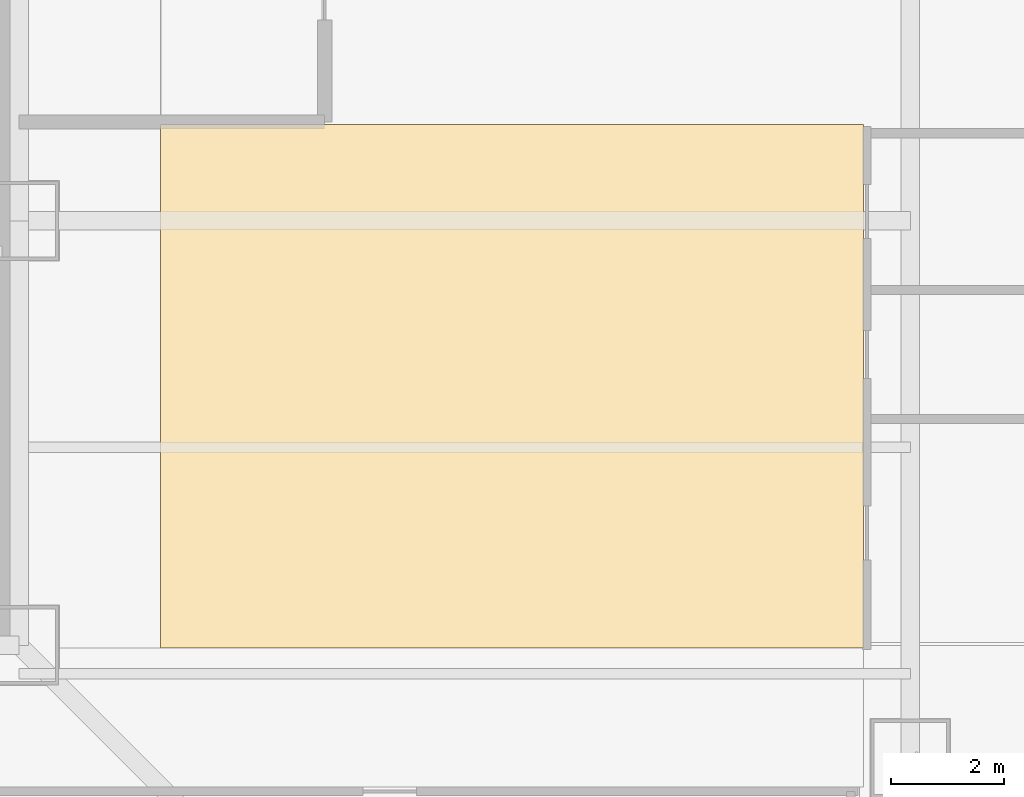
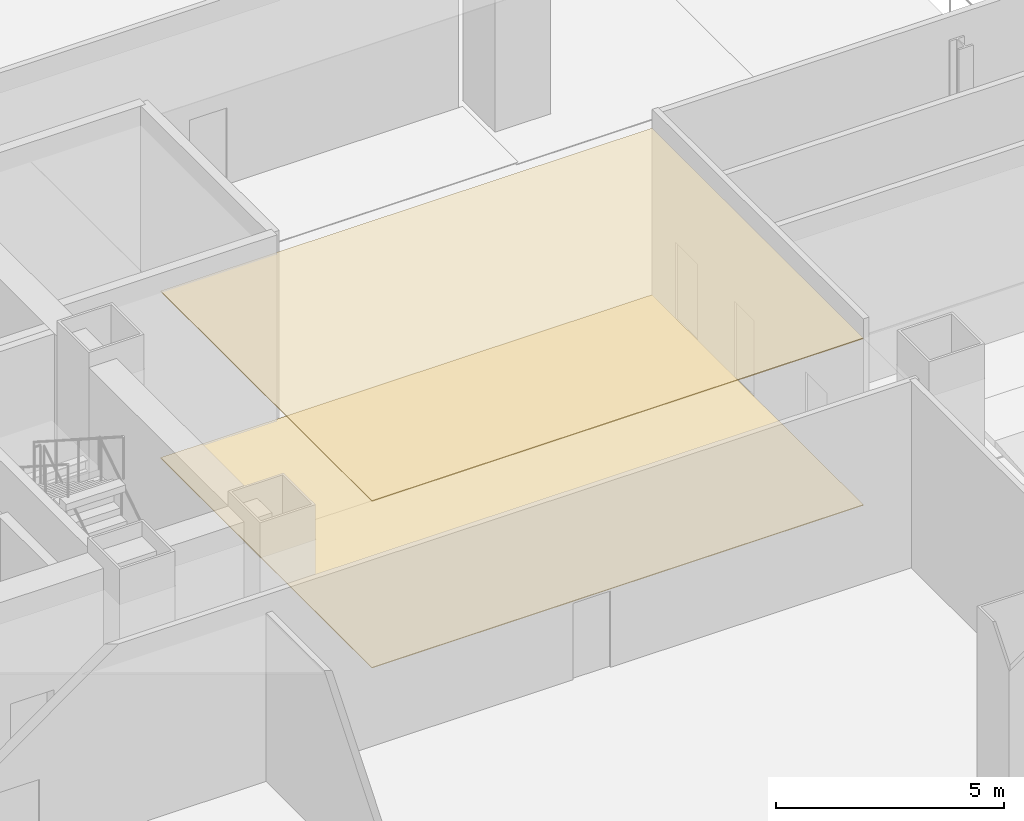
# One storey, part 18 of 24: 2 coverings.
"""IFC4 building model written with IfcOpenShell, lengths in metres."""

from ifc_helpers import new_model, si_unit, direction, frame, origin, place, context, subcontext, project, spatial, polyline, outline, extrude, material, layer, layer_set, type_object, element, save


model = new_model("IFC4")

# Units and contexts
model_context = context("Model", 3, precision=1e-05, world=origin(), true_north=direction((0.0, 1.0)))
body_context = subcontext(model_context, "Body", "Model", "MODEL_VIEW")
ifc_project = project(units=[si_unit("LENGTHUNIT", "METRE"), si_unit("AREAUNIT", "SQUARE_METRE"), si_unit("VOLUMEUNIT", "CUBIC_METRE"), si_unit("PLANEANGLEUNIT", "RADIAN"), si_unit("MASSUNIT", "GRAM", prefix="KILO")], contexts=[model_context])

# Site, building, storey
site_placement = place(None, origin())
site = spatial("IfcSite", under=ifc_project, at=site_placement, CompositionType="ELEMENT")
building_placement = place(site_placement, origin())
building = spatial("IfcBuilding", under=site, at=building_placement, Name="Trevonay Congress Spire", CompositionType="ELEMENT")
storey_placement = place(building_placement, origin())
storey = spatial("IfcBuildingStorey", under=building, at=storey_placement, Name="L00", CompositionType="ELEMENT", Elevation=0.0)

# Coverings
ifc_material_1 = material(Name="Acoustic Mineral Fibre Board", Category="gypsum")
ifc_layer_1 = layer(ifc_material_1, 0.02490234375, Name="Acoustic Mineral Fibre Board")
ifc_layer_set_1 = layer_set([ifc_layer_1], Name="Acoustic Mineral Fibre Board")
covering_type_1 = type_object("IfcCoveringType", Name="COV-CEIL-ACOUSTIC", PredefinedType="CEILING", material=ifc_layer_set_1)
covering_1_placement = place(storey_placement, frame((0.0, 0.0, 4.449951171875)))
element("IfcCovering", 1, at=covering_1_placement, inside=storey, type_object=covering_type_1, Name="L00 L00 East Concourse Foyer acoustic suspended ceiling", PredefinedType="CEILING", context=body_context, shape_type="SweptSolid", body=[
    extrude(outline(polyline([(10.0, -7.550048828125), (10.0, 1.699951171875), (22.419921875, 1.699951171875), (22.419921875, -7.550048828125), (10.0, -7.550048828125)])), origin(), (0.0, 0.0, 1.0), 0.025146484375),
])
ifc_material_2 = material(Name="Polished Granite Floor Tile", Category="masonry")
ifc_layer_2 = layer(ifc_material_2, 0.02001953125, Name="Polished Granite Floor Tile")
ifc_layer_set_2 = layer_set([ifc_layer_2], Name="Polished Granite Floor Tile")
covering_type_2 = type_object("IfcCoveringType", Name="COV-FLOOR-STONE", PredefinedType="FLOORING", material=ifc_layer_set_2)
covering_2_placement = place(storey_placement, origin())
element("IfcCovering", 2, at=covering_2_placement, inside=storey, type_object=covering_type_2, Name="L00 L00 East Concourse Foyer floor finish", PredefinedType="FLOORING", context=body_context, shape_type="SweptSolid", body=[
    extrude(outline(polyline([(10.0, -7.550048828125), (10.0, 1.699951171875), (22.419921875, 1.699951171875), (22.419921875, -7.550048828125), (10.0, -7.550048828125)])), origin(), (0.0, 0.0, 1.0), 0.02001953125),
])

save(model, "model.ifc")
